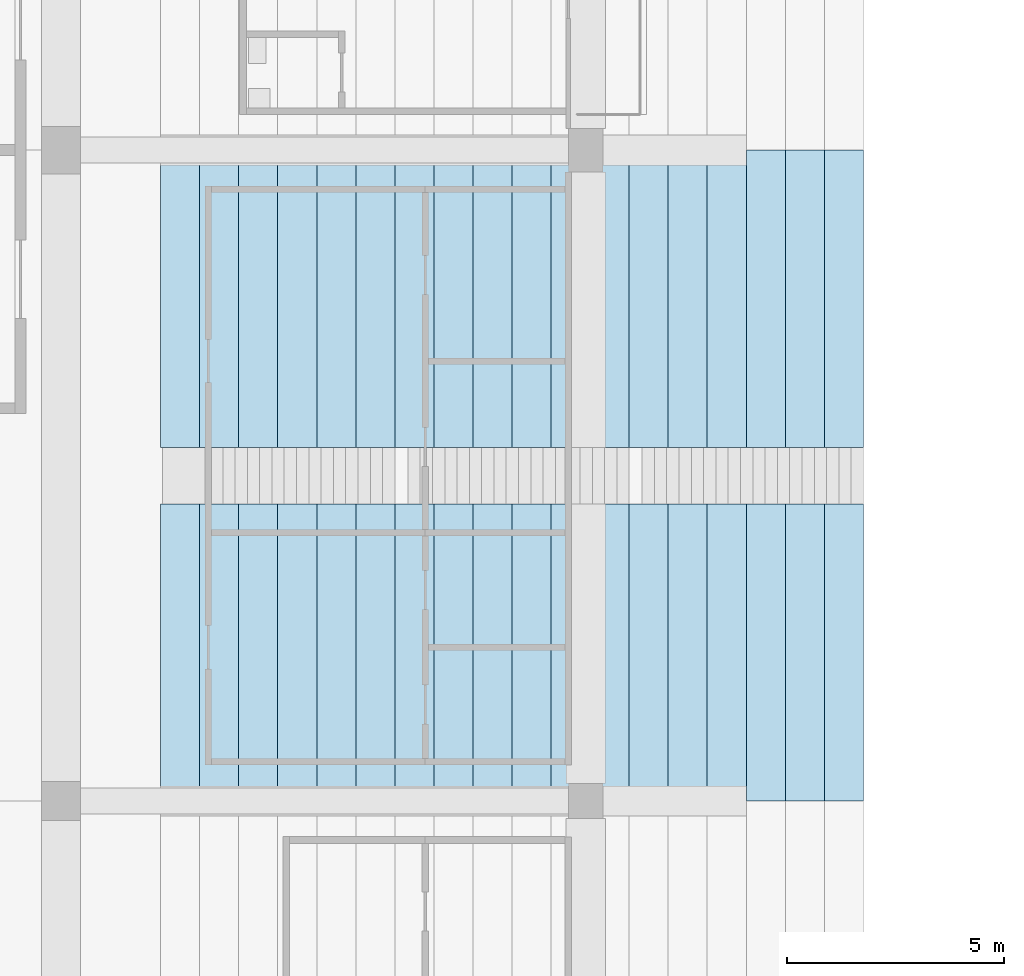
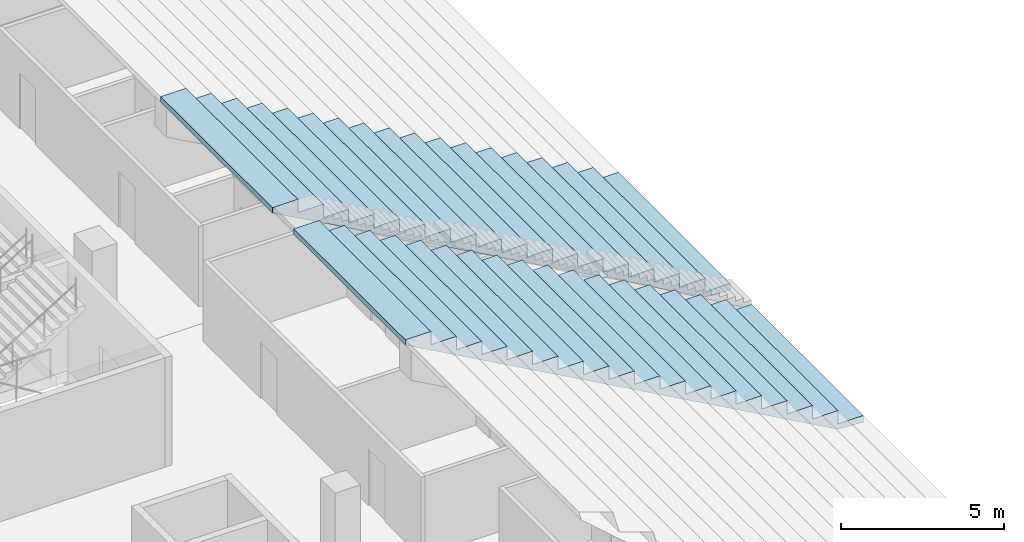
# One storey, part 120 of 249: 1 slab.
"""IFC4 building model written with IfcOpenShell, lengths in metres."""

from ifc_helpers import new_model, si_unit, direction, frame, origin, place, context, subcontext, project, spatial, faceted_brep, material, layer, layer_set, type_object, element, save


model = new_model("IFC4")

# Units and contexts
model_context = context("Model", 3, precision=1e-05, world=origin(), true_north=direction((0.0, 1.0)))
body_context = subcontext(model_context, "Body", "Model", "MODEL_VIEW")
ifc_project = project(units=[si_unit("LENGTHUNIT", "METRE"), si_unit("AREAUNIT", "SQUARE_METRE"), si_unit("VOLUMEUNIT", "CUBIC_METRE"), si_unit("PLANEANGLEUNIT", "RADIAN"), si_unit("MASSUNIT", "GRAM", prefix="KILO")], contexts=[model_context])

# Site, building, storey
site_placement = place(None, origin())
site = spatial("IfcSite", under=ifc_project, at=site_placement, CompositionType="ELEMENT")
building_placement = place(site_placement, origin())
building = spatial("IfcBuilding", under=site, at=building_placement, Name="Ogive Plaza Stadium", CompositionType="ELEMENT")
storey_placement = place(building_placement, frame((0.0, 0.0, 13.5)))
storey = spatial("IfcBuildingStorey", under=building, at=storey_placement, Name="L03", CompositionType="ELEMENT", Elevation=13.5)

# Slab
ifc_material = material(Name="Concrete C45/55 precast", Category="concrete")
ifc_layer = layer(ifc_material, 0.699951171875)
ifc_layer_set = layer_set([ifc_layer], Name="Concrete C45/55 precast")
slab_type = type_object("IfcSlabType", Name="Seating tier UT 700", PredefinedType="USERDEFINED", material=ifc_layer_set)
slab_placement = place(storey_placement, origin())
element("IfcSlab", 1, at=slab_placement, inside=storey, type_object=slab_type, Name="Stand UT B25", ObjectType="SEATING TIER", PredefinedType="USERDEFINED", context=body_context, shape_type="Brep", body=[
    faceted_brep([(-55.5, 14.35009765625, 0.5), (-56.39990234375, 14.35009765625, 0.5), (-56.39990234375, 7.5, 0.5), (-55.5, 7.5, 0.5), (-55.5, 22.5, 0.5), (-56.39990234375, 22.5, 0.5), (-56.39990234375, 15.64990234375, 0.5), (-55.5, 15.64990234375, 0.5), (-56.39990234375, 14.35009765625, 0.300048828125), (-55.5, 7.5, 0.25), (-56.39990234375, 7.5, 0.300048828125), (-55.5, 14.35009765625, 0.25), (-56.39990234375, 22.5, 0.300048828125), (-55.5, 15.64990234375, 0.25), (-56.39990234375, 15.64990234375, 0.300048828125), (-55.5, 22.5, 0.25), (-56.39990234375, 7.5, 1.0), (-56.39990234375, 14.35009765625, 1.0), (-56.39990234375, 15.64990234375, 1.0), (-56.39990234375, 22.5, 1.0), (-57.300048828125, 7.5, 1.0), (-57.300048828125, 7.5, 0.800048828125), (-57.300048828125, 7.5, 1.5), (-58.199951171875, 7.5, 1.5), (-58.199951171875, 7.5, 1.300048828125), (-58.199951171875, 7.5, 2.0), (-59.10009765625, 7.5, 2.0), (-59.10009765625, 7.5, 1.800048828125), (-59.10009765625, 7.5, 2.5), (-60.0, 7.5, 2.5), (-60.0, 7.5, 2.300048828125), (-60.0, 7.5, 3.0), (-60.89990234375, 7.5, 3.0), (-60.89990234375, 7.5, 2.800048828125), (-60.89990234375, 7.5, 3.5), (-61.800048828125, 7.5, 3.5), (-61.800048828125, 7.5, 3.300048828125), (-61.800048828125, 7.5, 4.0), (-62.699951171875, 7.5, 4.0), (-62.699951171875, 7.5, 3.800048828125), (-62.699951171875, 7.5, 4.5), (-63.60009765625, 7.5, 4.5), (-63.60009765625, 7.5, 4.300048828125), (-63.60009765625, 7.5, 5.0), (-64.5, 7.5, 5.0), (-64.5, 7.5, 4.800048828125), (-64.5, 7.5, 5.5), (-65.39990234375, 7.5, 5.5), (-65.39990234375, 7.5, 5.300048828125), (-65.39990234375, 7.5, 6.0), (-66.300048828125, 7.5, 6.0), (-66.300048828125, 7.5, 5.800048828125), (-66.300048828125, 7.5, 6.5), (-67.199951171875, 7.5, 6.5), (-67.199951171875, 7.5, 6.300048828125), (-67.199951171875, 7.5, 7.0), (-68.10009765625, 7.5, 7.0), (-68.10009765625, 7.5, 6.800048828125), (-68.10009765625, 7.5, 7.5), (-69.0, 7.5, 7.5), (-69.0, 7.5, 7.300048828125), (-69.0, 7.5, 8.0), (-69.89990234375, 7.5, 8.0), (-69.89990234375, 7.5, 7.800048828125), (-69.89990234375, 7.5, 8.5), (-70.800048828125, 7.5, 8.5), (-70.800048828125, 7.5, 8.300048828125), (-70.800048828125, 7.5, 9.0), (-71.699951171875, 7.5, 9.0), (-71.699951171875, 7.5, 8.800048828125), (-57.300048828125, 14.35009765625, 1.0), (-57.300048828125, 14.35009765625, 0.800048828125), (-58.199951171875, 14.35009765625, 1.5), (-57.300048828125, 14.35009765625, 1.5), (-58.199951171875, 14.35009765625, 1.300048828125), (-59.10009765625, 14.35009765625, 2.0), (-58.199951171875, 14.35009765625, 2.0), (-59.10009765625, 14.35009765625, 1.800048828125), (-60.0, 14.35009765625, 2.5), (-59.10009765625, 14.35009765625, 2.5), (-60.0, 14.35009765625, 2.300048828125), (-60.89990234375, 14.35009765625, 3.0), (-60.0, 14.35009765625, 3.0), (-60.89990234375, 14.35009765625, 2.800048828125), (-61.800048828125, 14.35009765625, 3.5), (-60.89990234375, 14.35009765625, 3.5), (-61.800048828125, 14.35009765625, 3.300048828125), (-62.699951171875, 14.35009765625, 4.0), (-61.800048828125, 14.35009765625, 4.0), (-62.699951171875, 14.35009765625, 3.800048828125), (-63.60009765625, 14.35009765625, 4.5), (-62.699951171875, 14.35009765625, 4.5), (-63.60009765625, 14.35009765625, 4.300048828125), (-64.5, 14.35009765625, 5.0), (-63.60009765625, 14.35009765625, 5.0), (-64.5, 14.35009765625, 4.800048828125), (-65.39990234375, 14.35009765625, 5.5), (-64.5, 14.35009765625, 5.5), (-65.39990234375, 14.35009765625, 5.300048828125), (-66.300048828125, 14.35009765625, 6.0), (-65.39990234375, 14.35009765625, 6.0), (-66.300048828125, 14.35009765625, 5.800048828125), (-67.199951171875, 14.35009765625, 6.5), (-66.300048828125, 14.35009765625, 6.5), (-67.199951171875, 14.35009765625, 6.300048828125), (-68.10009765625, 14.35009765625, 7.0), (-67.199951171875, 14.35009765625, 7.0), (-68.10009765625, 14.35009765625, 6.800048828125), (-69.0, 14.35009765625, 7.5), (-68.10009765625, 14.35009765625, 7.5), (-69.0, 14.35009765625, 7.300048828125), (-69.89990234375, 14.35009765625, 8.0), (-69.0, 14.35009765625, 8.0), (-69.89990234375, 14.35009765625, 7.800048828125), (-70.800048828125, 14.35009765625, 8.5), (-69.89990234375, 14.35009765625, 8.5), (-70.800048828125, 14.35009765625, 8.300048828125), (-71.699951171875, 14.35009765625, 9.0), (-70.800048828125, 14.35009765625, 9.0), (-71.699951171875, 14.35009765625, 8.800048828125), (-57.300048828125, 15.64990234375, 1.0), (-57.300048828125, 15.64990234375, 0.800048828125), (-57.300048828125, 15.64990234375, 1.5), (-58.199951171875, 15.64990234375, 1.5), (-58.199951171875, 15.64990234375, 1.300048828125), (-58.199951171875, 15.64990234375, 2.0), (-59.10009765625, 15.64990234375, 2.0), (-59.10009765625, 15.64990234375, 1.800048828125), (-59.10009765625, 15.64990234375, 2.5), (-60.0, 15.64990234375, 2.5), (-60.0, 15.64990234375, 2.300048828125), (-60.0, 15.64990234375, 3.0), (-60.89990234375, 15.64990234375, 3.0), (-60.89990234375, 15.64990234375, 2.800048828125), (-60.89990234375, 15.64990234375, 3.5), (-61.800048828125, 15.64990234375, 3.5), (-61.800048828125, 15.64990234375, 3.300048828125), (-61.800048828125, 15.64990234375, 4.0), (-62.699951171875, 15.64990234375, 4.0), (-62.699951171875, 15.64990234375, 3.800048828125), (-62.699951171875, 15.64990234375, 4.5), (-63.60009765625, 15.64990234375, 4.5), (-63.60009765625, 15.64990234375, 4.300048828125), (-63.60009765625, 15.64990234375, 5.0), (-64.5, 15.64990234375, 5.0), (-64.5, 15.64990234375, 4.800048828125), (-64.5, 15.64990234375, 5.5), (-65.39990234375, 15.64990234375, 5.5), (-65.39990234375, 15.64990234375, 5.300048828125), (-65.39990234375, 15.64990234375, 6.0), (-66.300048828125, 15.64990234375, 6.0), (-66.300048828125, 15.64990234375, 5.800048828125), (-66.300048828125, 15.64990234375, 6.5), (-67.199951171875, 15.64990234375, 6.5), (-67.199951171875, 15.64990234375, 6.300048828125), (-67.199951171875, 15.64990234375, 7.0), (-68.10009765625, 15.64990234375, 7.0), (-68.10009765625, 15.64990234375, 6.800048828125), (-68.10009765625, 15.64990234375, 7.5), (-69.0, 15.64990234375, 7.5), (-69.0, 15.64990234375, 7.300048828125), (-69.0, 15.64990234375, 8.0), (-69.89990234375, 15.64990234375, 8.0), (-69.89990234375, 15.64990234375, 7.800048828125), (-69.89990234375, 15.64990234375, 8.5), (-70.800048828125, 15.64990234375, 8.5), (-70.800048828125, 15.64990234375, 8.300048828125), (-70.800048828125, 15.64990234375, 9.0), (-71.699951171875, 15.64990234375, 9.0), (-71.699951171875, 15.64990234375, 8.800048828125), (-57.300048828125, 22.5, 1.0), (-57.300048828125, 22.5, 0.800048828125), (-58.199951171875, 22.5, 1.5), (-57.300048828125, 22.5, 1.5), (-58.199951171875, 22.5, 1.300048828125), (-59.10009765625, 22.5, 2.0), (-58.199951171875, 22.5, 2.0), (-59.10009765625, 22.5, 1.800048828125), (-60.0, 22.5, 2.5), (-59.10009765625, 22.5, 2.5), (-60.0, 22.5, 2.300048828125), (-60.89990234375, 22.5, 3.0), (-60.0, 22.5, 3.0), (-60.89990234375, 22.5, 2.800048828125), (-61.800048828125, 22.5, 3.5), (-60.89990234375, 22.5, 3.5), (-61.800048828125, 22.5, 3.300048828125), (-62.699951171875, 22.5, 4.0), (-61.800048828125, 22.5, 4.0), (-62.699951171875, 22.5, 3.800048828125), (-63.60009765625, 22.5, 4.5), (-62.699951171875, 22.5, 4.5), (-63.60009765625, 22.5, 4.300048828125), (-64.5, 22.5, 5.0), (-63.60009765625, 22.5, 5.0), (-64.5, 22.5, 4.800048828125), (-65.39990234375, 22.5, 5.5), (-64.5, 22.5, 5.5), (-65.39990234375, 22.5, 5.300048828125), (-66.300048828125, 22.5, 6.0), (-65.39990234375, 22.5, 6.0), (-66.300048828125, 22.5, 5.800048828125), (-67.199951171875, 22.5, 6.5), (-66.300048828125, 22.5, 6.5), (-67.199951171875, 22.5, 6.300048828125), (-68.10009765625, 22.5, 7.0), (-67.199951171875, 22.5, 7.0), (-68.10009765625, 22.5, 6.800048828125), (-69.0, 22.5, 7.5), (-68.10009765625, 22.5, 7.5), (-69.0, 22.5, 7.300048828125), (-69.89990234375, 22.5, 8.0), (-69.0, 22.5, 8.0), (-69.89990234375, 22.5, 7.800048828125), (-70.800048828125, 22.5, 8.5), (-69.89990234375, 22.5, 8.5), (-70.800048828125, 22.5, 8.300048828125), (-71.699951171875, 22.5, 9.0), (-70.800048828125, 22.5, 9.0), (-71.699951171875, 22.5, 8.800048828125)], [[[0, 1, 2]], [[2, 3, 0]], [[4, 5, 6]], [[6, 7, 4]], [[8, 9, 10]], [[8, 11, 9]], [[12, 13, 14]], [[12, 15, 13]], [[16, 2, 1]], [[1, 17, 16]], [[18, 6, 5]], [[5, 19, 18]], [[10, 9, 3]], [[10, 3, 2]], [[2, 16, 20]], [[20, 21, 10]], [[10, 2, 20]], [[20, 22, 23]], [[23, 24, 21]], [[21, 20, 23]], [[23, 25, 26]], [[26, 27, 24]], [[24, 23, 26]], [[26, 28, 29]], [[29, 30, 27]], [[27, 26, 29]], [[29, 31, 32]], [[32, 33, 30]], [[30, 29, 32]], [[32, 34, 35]], [[35, 36, 33]], [[33, 32, 35]], [[35, 37, 38]], [[38, 39, 36]], [[36, 35, 38]], [[38, 40, 41]], [[41, 42, 39]], [[39, 38, 41]], [[41, 43, 44]], [[44, 45, 42]], [[42, 41, 44]], [[44, 46, 47]], [[47, 48, 45]], [[45, 44, 47]], [[47, 49, 50]], [[50, 51, 48]], [[48, 47, 50]], [[50, 52, 53]], [[53, 54, 51]], [[51, 50, 53]], [[53, 55, 56]], [[56, 57, 54]], [[54, 53, 56]], [[56, 58, 59]], [[59, 60, 57]], [[57, 56, 59]], [[59, 61, 62]], [[62, 63, 60]], [[60, 59, 62]], [[62, 64, 65]], [[65, 66, 63]], [[63, 62, 65]], [[65, 67, 68]], [[68, 69, 66]], [[66, 65, 68]], [[3, 9, 11]], [[11, 0, 3]], [[7, 13, 15]], [[15, 4, 7]], [[0, 11, 8]], [[8, 1, 0]], [[70, 17, 1]], [[1, 8, 71]], [[71, 70, 1]], [[72, 73, 70]], [[70, 71, 74]], [[74, 72, 70]], [[75, 76, 72]], [[72, 74, 77]], [[77, 75, 72]], [[78, 79, 75]], [[75, 77, 80]], [[80, 78, 75]], [[81, 82, 78]], [[78, 80, 83]], [[83, 81, 78]], [[84, 85, 81]], [[81, 83, 86]], [[86, 84, 81]], [[87, 88, 84]], [[84, 86, 89]], [[89, 87, 84]], [[90, 91, 87]], [[87, 89, 92]], [[92, 90, 87]], [[93, 94, 90]], [[90, 92, 95]], [[95, 93, 90]], [[96, 97, 93]], [[93, 95, 98]], [[98, 96, 93]], [[99, 100, 96]], [[96, 98, 101]], [[101, 99, 96]], [[102, 103, 99]], [[99, 101, 104]], [[104, 102, 99]], [[105, 106, 102]], [[102, 104, 107]], [[107, 105, 102]], [[108, 109, 105]], [[105, 107, 110]], [[110, 108, 105]], [[111, 112, 108]], [[108, 110, 113]], [[113, 111, 108]], [[114, 115, 111]], [[111, 113, 116]], [[116, 114, 111]], [[117, 118, 114]], [[114, 116, 119]], [[119, 117, 114]], [[14, 13, 7]], [[14, 7, 6]], [[6, 18, 120]], [[120, 121, 14]], [[14, 6, 120]], [[120, 122, 123]], [[123, 124, 121]], [[121, 120, 123]], [[123, 125, 126]], [[126, 127, 124]], [[124, 123, 126]], [[126, 128, 129]], [[129, 130, 127]], [[127, 126, 129]], [[129, 131, 132]], [[132, 133, 130]], [[130, 129, 132]], [[132, 134, 135]], [[135, 136, 133]], [[133, 132, 135]], [[135, 137, 138]], [[138, 139, 136]], [[136, 135, 138]], [[138, 140, 141]], [[141, 142, 139]], [[139, 138, 141]], [[141, 143, 144]], [[144, 145, 142]], [[142, 141, 144]], [[144, 146, 147]], [[147, 148, 145]], [[145, 144, 147]], [[147, 149, 150]], [[150, 151, 148]], [[148, 147, 150]], [[150, 152, 153]], [[153, 154, 151]], [[151, 150, 153]], [[153, 155, 156]], [[156, 157, 154]], [[154, 153, 156]], [[156, 158, 159]], [[159, 160, 157]], [[157, 156, 159]], [[159, 161, 162]], [[162, 163, 160]], [[160, 159, 162]], [[162, 164, 165]], [[165, 166, 163]], [[163, 162, 165]], [[165, 167, 168]], [[168, 169, 166]], [[166, 165, 168]], [[4, 15, 12]], [[12, 5, 4]], [[170, 19, 5]], [[5, 12, 171]], [[171, 170, 5]], [[172, 173, 170]], [[170, 171, 174]], [[174, 172, 170]], [[175, 176, 172]], [[172, 174, 177]], [[177, 175, 172]], [[178, 179, 175]], [[175, 177, 180]], [[180, 178, 175]], [[181, 182, 178]], [[178, 180, 183]], [[183, 181, 178]], [[184, 185, 181]], [[181, 183, 186]], [[186, 184, 181]], [[187, 188, 184]], [[184, 186, 189]], [[189, 187, 184]], [[190, 191, 187]], [[187, 189, 192]], [[192, 190, 187]], [[193, 194, 190]], [[190, 192, 195]], [[195, 193, 190]], [[196, 197, 193]], [[193, 195, 198]], [[198, 196, 193]], [[199, 200, 196]], [[196, 198, 201]], [[201, 199, 196]], [[202, 203, 199]], [[199, 201, 204]], [[204, 202, 199]], [[205, 206, 202]], [[202, 204, 207]], [[207, 205, 202]], [[208, 209, 205]], [[205, 207, 210]], [[210, 208, 205]], [[211, 212, 208]], [[208, 210, 213]], [[213, 211, 208]], [[214, 215, 211]], [[211, 213, 216]], [[216, 214, 211]], [[217, 218, 214]], [[214, 216, 219]], [[219, 217, 214]], [[17, 70, 20]], [[20, 16, 17]], [[19, 170, 120]], [[120, 18, 19]], [[71, 10, 21]], [[71, 8, 10]], [[171, 14, 121]], [[171, 12, 14]], [[74, 21, 24]], [[74, 71, 21]], [[174, 121, 124]], [[174, 171, 121]], [[77, 24, 27]], [[77, 74, 24]], [[177, 124, 127]], [[177, 174, 124]], [[80, 27, 30]], [[80, 77, 27]], [[180, 127, 130]], [[180, 177, 127]], [[83, 30, 33]], [[83, 80, 30]], [[183, 130, 133]], [[183, 180, 130]], [[86, 33, 36]], [[86, 83, 33]], [[186, 133, 136]], [[186, 183, 133]], [[89, 36, 39]], [[89, 86, 36]], [[189, 136, 139]], [[189, 186, 136]], [[92, 39, 42]], [[92, 89, 39]], [[192, 139, 142]], [[192, 189, 139]], [[95, 42, 45]], [[95, 92, 42]], [[195, 142, 145]], [[195, 192, 142]], [[98, 45, 48]], [[98, 95, 45]], [[198, 145, 148]], [[198, 195, 145]], [[101, 48, 51]], [[101, 98, 48]], [[201, 148, 151]], [[201, 198, 148]], [[104, 51, 54]], [[104, 101, 51]], [[204, 151, 154]], [[204, 201, 151]], [[107, 54, 57]], [[107, 104, 54]], [[207, 154, 157]], [[207, 204, 154]], [[110, 57, 60]], [[110, 107, 57]], [[210, 157, 160]], [[210, 207, 157]], [[22, 20, 70]], [[70, 73, 22]], [[122, 120, 170]], [[170, 173, 122]], [[73, 72, 23]], [[23, 22, 73]], [[173, 172, 123]], [[123, 122, 173]], [[25, 23, 72]], [[72, 76, 25]], [[125, 123, 172]], [[172, 176, 125]], [[76, 75, 26]], [[26, 25, 76]], [[176, 175, 126]], [[126, 125, 176]], [[28, 26, 75]], [[75, 79, 28]], [[128, 126, 175]], [[175, 179, 128]], [[79, 78, 29]], [[29, 28, 79]], [[179, 178, 129]], [[129, 128, 179]], [[31, 29, 78]], [[78, 82, 31]], [[131, 129, 178]], [[178, 182, 131]], [[82, 81, 32]], [[32, 31, 82]], [[182, 181, 132]], [[132, 131, 182]], [[34, 32, 81]], [[81, 85, 34]], [[134, 132, 181]], [[181, 185, 134]], [[85, 84, 35]], [[35, 34, 85]], [[185, 184, 135]], [[135, 134, 185]], [[37, 35, 84]], [[84, 88, 37]], [[137, 135, 184]], [[184, 188, 137]], [[88, 87, 38]], [[38, 37, 88]], [[188, 187, 138]], [[138, 137, 188]], [[40, 38, 87]], [[87, 91, 40]], [[140, 138, 187]], [[187, 191, 140]], [[91, 90, 41]], [[41, 40, 91]], [[191, 190, 141]], [[141, 140, 191]], [[43, 41, 90]], [[90, 94, 43]], [[143, 141, 190]], [[190, 194, 143]], [[94, 93, 44]], [[44, 43, 94]], [[194, 193, 144]], [[144, 143, 194]], [[46, 44, 93]], [[93, 97, 46]], [[146, 144, 193]], [[193, 197, 146]], [[97, 96, 47]], [[47, 46, 97]], [[197, 196, 147]], [[147, 146, 197]], [[49, 47, 96]], [[96, 100, 49]], [[149, 147, 196]], [[196, 200, 149]], [[100, 99, 50]], [[50, 49, 100]], [[200, 199, 150]], [[150, 149, 200]], [[52, 50, 99]], [[99, 103, 52]], [[152, 150, 199]], [[199, 203, 152]], [[103, 102, 53]], [[53, 52, 103]], [[203, 202, 153]], [[153, 152, 203]], [[55, 53, 102]], [[102, 106, 55]], [[155, 153, 202]], [[202, 206, 155]], [[106, 105, 56]], [[56, 55, 106]], [[206, 205, 156]], [[156, 155, 206]], [[58, 56, 105]], [[105, 109, 58]], [[158, 156, 205]], [[205, 209, 158]], [[109, 108, 59]], [[59, 58, 109]], [[209, 208, 159]], [[159, 158, 209]], [[61, 59, 108]], [[108, 112, 61]], [[161, 159, 208]], [[208, 212, 161]], [[112, 111, 62]], [[62, 61, 112]], [[212, 211, 162]], [[162, 161, 212]], [[113, 60, 63]], [[113, 110, 60]], [[213, 160, 163]], [[213, 210, 160]], [[116, 63, 66]], [[116, 113, 63]], [[216, 163, 166]], [[216, 213, 163]], [[119, 66, 69]], [[119, 116, 66]], [[219, 166, 169]], [[219, 216, 166]], [[64, 62, 111]], [[111, 115, 64]], [[164, 162, 211]], [[211, 215, 164]], [[115, 114, 65]], [[65, 64, 115]], [[215, 214, 165]], [[165, 164, 215]], [[67, 65, 114]], [[114, 118, 67]], [[167, 165, 214]], [[214, 218, 167]], [[118, 117, 68]], [[68, 67, 118]], [[218, 217, 168]], [[168, 167, 218]], [[117, 119, 69]], [[69, 68, 117]], [[217, 219, 169]], [[169, 168, 217]]]),
])

save(model, "model.ifc")
